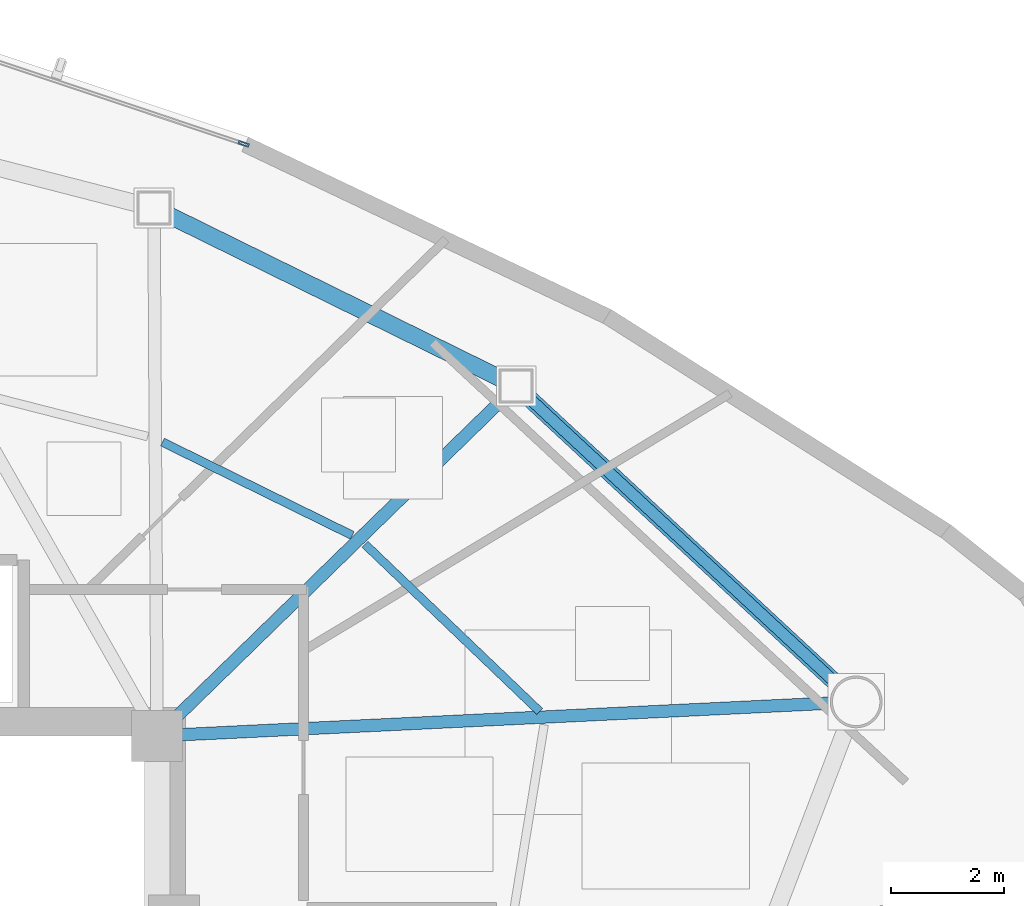
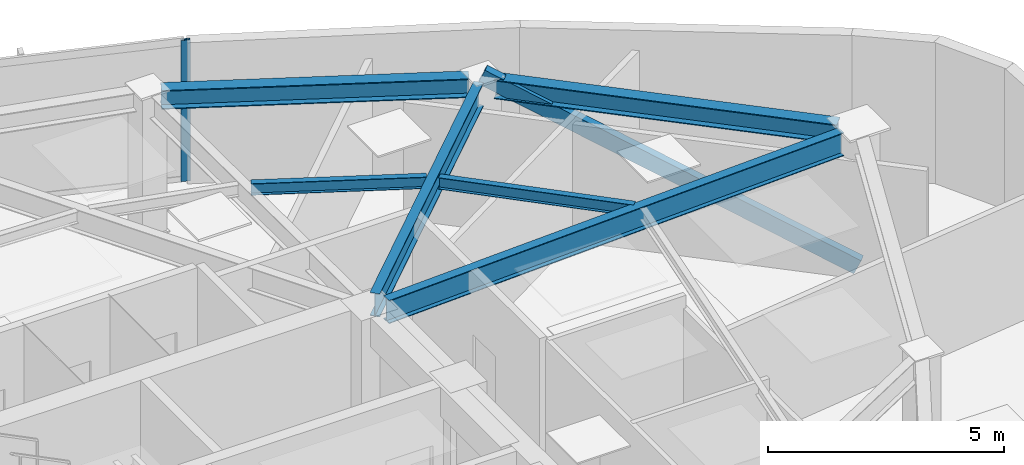
# One storey, part 8 of 15: 6 beams, 2 members, 1 element without a shape of its own.
"""IFC4 building model written with IfcOpenShell, lengths in metres."""

from ifc_helpers import new_model, si_unit, direction, frame, origin, origin_2d, place, context, subcontext, project, spatial, hollow_rectangle, i_section, extrude, source, transform, mapped, material, layer, layer_set, material_profile, profile_set, type_object, type_shapes, element, aggregate, save


model = new_model("IFC4")

# Units and contexts
model_context = context("Model", 3, precision=1e-05, world=origin(), true_north=direction((0.0, 1.0)))
body_context = subcontext(model_context, "Body", "Model", "MODEL_VIEW")
ifc_project = project(units=[si_unit("LENGTHUNIT", "METRE"), si_unit("AREAUNIT", "SQUARE_METRE"), si_unit("VOLUMEUNIT", "CUBIC_METRE"), si_unit("PLANEANGLEUNIT", "RADIAN"), si_unit("MASSUNIT", "GRAM", prefix="KILO")], contexts=[model_context])

# Site, building, storey
site_placement = place(None, origin())
site = spatial("IfcSite", under=ifc_project, at=site_placement, CompositionType="ELEMENT")
building_placement = place(site_placement, origin())
building = spatial("IfcBuilding", under=site, at=building_placement, Name="Tavelor Broadcast Tower", CompositionType="ELEMENT")
storey_placement = place(building_placement, frame((0.0, 0.0, 230.050048828125)))
storey = spatial("IfcBuildingStorey", under=building, at=storey_placement, Name="L54", CompositionType="ELEMENT", Elevation=230.050048828125)

# Beams
ifc_material_1 = material(Name="Steel S355", Category="steel")
ifc_material_profile_1 = material_profile(ifc_material_1, i_section(OverallWidth=0.14990234375, OverallDepth=0.300048828125, WebThickness=0.007080078125, FlangeThickness=0.0107421875, at=origin_2d()), Name="IPE 300")
ifc_profile_set_1 = profile_set([ifc_material_profile_1], Name="Steel S355")
beam_type_1 = type_object("IfcBeamType", Name="Composite Floor Joist T5 IPE 300", PredefinedType="JOIST", material=ifc_profile_set_1)
beam_1_placement = place(storey_placement, frame((63.3427734375, 51.629150390625, 3.5), z_axis=(-0.722407874214, 0.691467181632, 0.0), x_axis=(-0.691467181632, -0.722407874214, 0.0)))
element("IfcBeam", 1, at=beam_1_placement, inside=storey, type_object=beam_type_1, Name="L54 Secondary Composite Floor Joist 13", PredefinedType="JOIST", context=body_context, shape_type="SweptSolid", body=[
    extrude(i_section(OverallWidth=0.14990234375, OverallDepth=0.300048828125, WebThickness=0.007080078125, FlangeThickness=0.0107421875, at=origin_2d()), origin(), (0.0, 0.0, 1.0), 4.260986328125),
])
beam_2_placement = place(storey_placement, frame((60.038818359375, 54.7333984375, 3.5), z_axis=(-0.897394619692, 0.441228848272, 0.0), x_axis=(-0.441228848272, -0.897394619692, 0.0)))
element("IfcBeam", 2, at=beam_2_placement, inside=storey, type_object=beam_type_1, Name="L54 Secondary Composite Floor Joist 14", PredefinedType="JOIST", context=body_context, shape_type="SweptSolid", body=[
    extrude(i_section(OverallWidth=0.14990234375, OverallDepth=0.300048828125, WebThickness=0.007080078125, FlangeThickness=0.0107421875, at=origin_2d()), origin(), (0.0, 0.0, 1.0), 3.7265625),
])
ifc_material_profile_2 = material_profile(ifc_material_1, i_section(OverallWidth=0.300048828125, OverallDepth=0.489990234375, WebThickness=0.011962890625, FlangeThickness=0.02294921875, at=origin_2d()), Name="HEA 500")
ifc_profile_set_2 = profile_set([ifc_material_profile_2], Name="Steel S355")
beam_type_2 = type_object("IfcBeamType", Name="Perimeter Spandrel Beam T5 HEA 500", PredefinedType="SPANDREL", material=ifc_profile_set_2)
beam_3_placement = place(storey_placement, frame((68.59814453125, 52.09765625, 3.405029296875), z_axis=(-0.732770151307, 0.680476234231, 0.0), x_axis=(-0.680476234231, -0.732770151307, 0.0)))
element("IfcBeam", 3, at=beam_3_placement, inside=storey, type_object=beam_type_2, Name="L54 Framed-Tube Ring Spandrel 13", PredefinedType="SPANDREL", context=body_context, shape_type="SweptSolid", body=[
    extrude(i_section(OverallWidth=0.300048828125, OverallDepth=0.489990234375, WebThickness=0.011962890625, FlangeThickness=0.02294921875, at=origin_2d()), origin(), (0.0, 0.0, 1.0), 7.451171875),
])
beam_4_placement = place(storey_placement, frame((62.668701171875, 57.4912109375, 3.405029296875), z_axis=(-0.897262651787, 0.441497150284, 0.0), x_axis=(-0.441497150284, -0.897262651787, 0.0)))
element("IfcBeam", 4, at=beam_4_placement, inside=storey, type_object=beam_type_2, Name="L54 Framed-Tube Ring Spandrel 14", PredefinedType="SPANDREL", context=body_context, shape_type="SweptSolid", body=[
    extrude(i_section(OverallWidth=0.300048828125, OverallDepth=0.489990234375, WebThickness=0.011962890625, FlangeThickness=0.02294921875, at=origin_2d()), origin(), (0.0, 0.0, 1.0), 6.536376953125),
])

# Member
ifc_material_profile_3 = material_profile(ifc_material_1, hollow_rectangle(XDim=0.199951171875, YDim=0.39990234375, WallThickness=0.01611328125, at=origin_2d()), Name="RHS 400x200x16")
ifc_profile_set_3 = profile_set([ifc_material_profile_3], Name="Steel S355")
member_type_1 = type_object("IfcMemberType", Name="Perimeter Tube Brace T5 RHS 400x200x16", PredefinedType="BRACE", material=ifc_profile_set_3)
member_1_placement = place(storey_placement, frame((68.919677734375, 51.799072265625, 0.0), z_axis=(-0.669140005594, 0.621404656244, 0.407563376803), x_axis=(-0.680486595916, -0.732760528944, 0.0)))
element("IfcMember", 5, at=member_1_placement, inside=storey, type_object=member_type_1, Name="L54 Corner Tube Diagonal Brace 3", PredefinedType="BRACE", context=body_context, shape_type="SweptSolid", body=[
    extrude(hollow_rectangle(XDim=0.199951171875, YDim=0.39990234375, WallThickness=0.01611328125, at=origin_2d()), origin(), (0.0, 0.0, 1.0), 8.955322265625),
])

# Beams
ifc_material_profile_4 = material_profile(ifc_material_1, i_section(OverallWidth=0.219970703125, OverallDepth=0.60009765625, WebThickness=0.011962890625, FlangeThickness=0.01904296875, at=origin_2d()), Name="IPE 600")
ifc_profile_set_4 = profile_set([ifc_material_profile_4], Name="Steel S355")
beam_type_3 = type_object("IfcBeamType", Name="Radial Floor Girder T5 IPE 600", PredefinedType="BEAM", material=ifc_profile_set_4)
beam_5_placement = place(storey_placement, frame((57.031494140625, 51.220947265625, 3.349853515625), z_axis=(0.998819342989, 0.048579008537, 0.0), x_axis=(-0.048579008537, 0.998819342989, 0.0)))
element("IfcBeam", 6, at=beam_5_placement, inside=storey, type_object=beam_type_3, Name="L54 Radial Primary Floor Girder 13", PredefinedType="BEAM", context=body_context, shape_type="SweptSolid", body=[
    extrude(i_section(OverallWidth=0.219970703125, OverallDepth=0.60009765625, WebThickness=0.011962890625, FlangeThickness=0.01904296875, at=origin_2d()), origin(), (0.0, 0.0, 1.0), 11.46337890625),
])
beam_6_placement = place(storey_placement, frame((56.909423828125, 51.50146484375, 3.349853515625), z_axis=(0.716299388852, 0.697793082175, 0.0), x_axis=(-0.697793082175, 0.716299388852, 0.0)))
element("IfcBeam", 7, at=beam_6_placement, inside=storey, type_object=beam_type_3, Name="L54 Radial Primary Floor Girder 14", PredefinedType="BEAM", context=body_context, shape_type="SweptSolid", body=[
    extrude(i_section(OverallWidth=0.219970703125, OverallDepth=0.60009765625, WebThickness=0.011962890625, FlangeThickness=0.01904296875, at=origin_2d()), origin(), (0.0, 0.0, 1.0), 8.11328125),
])

# Curtain wall, member
ifc_material_2 = material(Name="Architectural Anodized Aluminium", Category="aluminium")
ifc_layer = layer(ifc_material_2, 0.199951171875)
ifc_layer_set = layer_set([ifc_layer], Name="Architectural Anodized Aluminium")
curtain_wall_type = type_object("IfcCurtainWallType", Name="Tower High-Zone Triple-Glazed Curtain Wall CW04", PredefinedType="NOTDEFINED", material=ifc_layer_set)
curtain_wall_placement = place(storey_placement, origin())
curtain_wall = element("IfcCurtainWall", 8, at=curtain_wall_placement, inside=storey, type_object=curtain_wall_type, Name="L54 Curtain Wall CW04 Run 585", PredefinedType="NOTDEFINED")
ifc_material_profile_5 = material_profile(ifc_material_2, hollow_rectangle(XDim=0.070068359375, YDim=0.199951171875, WallThickness=0.02197265625, at=origin_2d()), Name="RHS 70x200x22")
ifc_profile_set_5 = profile_set([ifc_material_profile_5], Name="Architectural Anodized Aluminium")
member_type_2 = type_object("IfcMemberType", Name="CW04 Extruded Aluminium Mullion 70x200", PredefinedType="MULLION", material=ifc_profile_set_5)
shared_shape = source(origin(), body_context, "Body", "SweptSolid", [
    extrude(hollow_rectangle(XDim=0.070068359375, YDim=0.199951171875, WallThickness=0.02197265625, at=origin_2d()), origin(), (0.0, 0.0, 1.0), 3.64990234375),
])
type_shapes(member_type_2, [shared_shape])
member_2_placement = place(storey_placement, frame((58.12451171875, 61.633056640625, 0.0), z_axis=(0.0, 0.0, 1.0), x_axis=(-0.316899739274, -0.948459042473, 0.0)))
member_2 = element("IfcMember", 9, at=member_2_placement, type_object=member_type_2, Name="CW04 mullion 1", PredefinedType="MULLION", context=body_context, shape_type="MappedRepresentation", body=[
    mapped(shared_shape, transform((0.0, 0.0, 0.0), scale=1.0)),
])
aggregate(curtain_wall, [member_2])

save(model, "model.ifc")
